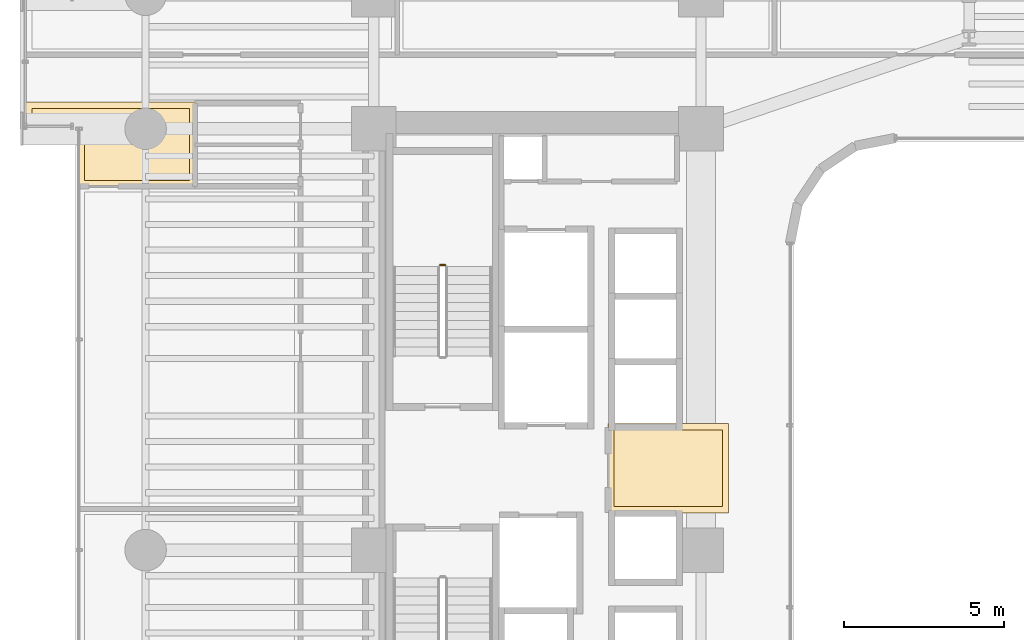
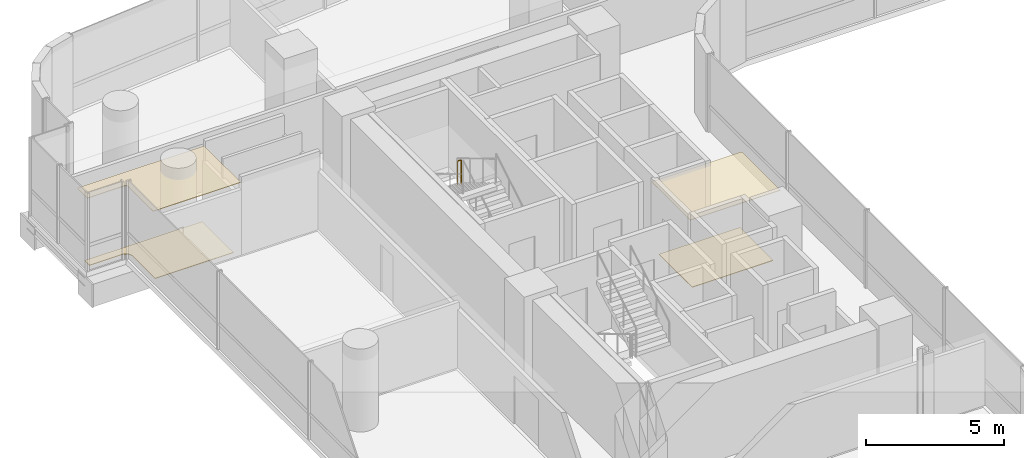
# One storey, part 38 of 40: 4 coverings, 1 railing.
"""IFC4 building model written with IfcOpenShell, lengths in metres."""

from ifc_helpers import new_model, si_unit, direction, frame, origin, origin_2d, place, context, subcontext, project, spatial, polyline, circle, outline, extrude, material, layer, layer_set, type_object, element, save


model = new_model("IFC4")

# Units and contexts
model_context = context("Model", 3, precision=1e-05, world=origin(), true_north=direction((0.0, 1.0)))
body_context = subcontext(model_context, "Body", "Model", "MODEL_VIEW")
ifc_project = project(units=[si_unit("LENGTHUNIT", "METRE"), si_unit("AREAUNIT", "SQUARE_METRE"), si_unit("VOLUMEUNIT", "CUBIC_METRE"), si_unit("PLANEANGLEUNIT", "RADIAN"), si_unit("MASSUNIT", "GRAM", prefix="KILO")], contexts=[model_context])

# Site, building, storey
site_placement = place(None, origin())
site = spatial("IfcSite", under=ifc_project, at=site_placement, CompositionType="ELEMENT")
building_placement = place(site_placement, origin())
building = spatial("IfcBuilding", under=site, at=building_placement, Name="Valdorenza Pilgrim Sanctuary Tower", CompositionType="ELEMENT")
storey_placement = place(building_placement, frame((0.0, 0.0, 51.89990234375)))
storey = spatial("IfcBuildingStorey", under=building, at=storey_placement, Name="L12", CompositionType="ELEMENT", Elevation=51.89990234375)

# Coverings
ifc_material_1 = material(Name="Micro-perforated acoustic mineral ceiling tile", Category="gypsum")
ifc_layer_1 = layer(ifc_material_1, 0.02490234375, Name="Micro-perforated acoustic mineral ceiling tile")
ifc_layer_set_1 = layer_set([ifc_layer_1], Name="Micro-perforated acoustic mineral ceiling tile")
covering_type_1 = type_object("IfcCoveringType", Name="COV-CLG-ACU", PredefinedType="CEILING", material=ifc_layer_set_1)
covering_1_placement = place(storey_placement, frame((0.0, 0.0, 3.16015625)))
element("IfcCovering", 1, at=covering_1_placement, inside=storey, type_object=covering_type_1, Name="L12 Core A Passenger Lift Lobby Acoustic Ceiling", PredefinedType="CEILING", context=body_context, shape_type="SweptSolid", body=[
    extrude(outline(polyline([(-15.31298828125, 1.244384765625), (-15.31298828125, 1.24462890625), (-15.313720703125, 1.24609375), (-15.314208984375, 1.24755859375), (-15.314697265625, 1.2490234375), (-15.31494140625, 1.25048828125), (-15.31494140625, 1.251953125), (-15.31494140625, 1.35009765625), (-15.31494140625, 1.3515625), (-15.314697265625, 1.352783203125), (-15.314453125, 1.3544921875), (-15.31396484375, 1.355712890625), (-15.313232421875, 1.357177734375), (-15.3125, 1.3583984375), (-15.3115234375, 1.359619140625), (-15.310546875, 1.360595703125), (-15.3095703125, 1.361572265625), (-15.308349609375, 1.362548828125), (-15.30712890625, 1.36328125), (-15.3056640625, 1.364013671875), (-15.304443359375, 1.364501953125), (-15.302978515625, 1.36474609375), (-15.301513671875, 1.364990234375), (-15.300048828125, 1.364990234375), (-15.10205078125, 1.364990234375), (-15.1005859375, 1.364990234375), (-15.09912109375, 1.36474609375), (-15.097412109375, 1.3642578125), (-15.09619140625, 1.36376953125), (-15.0947265625, 1.363037109375), (-15.094482421875, 1.363037109375), (-13.185546875, 1.363037109375), (-13.185302734375, 1.363037109375), (-13.183837890625, 1.36376953125), (-13.1826171875, 1.3642578125), (-13.180908203125, 1.36474609375), (-13.179443359375, 1.364990234375), (-13.177978515625, 1.364990234375), (-11.550048828125, 1.364990234375), (-11.548583984375, 1.364990234375), (-11.547119140625, 1.36474609375), (-11.545654296875, 1.364501953125), (-11.544189453125, 1.364013671875), (-11.54296875, 1.36328125), (-11.541748046875, 1.362548828125), (-11.54052734375, 1.361572265625), (-11.539306640625, 1.360595703125), (-11.538330078125, 1.359619140625), (-11.53759765625, 1.3583984375), (-11.536865234375, 1.357177734375), (-11.5361328125, 1.355712890625), (-11.53564453125, 1.3544921875), (-11.535400390625, 1.352783203125), (-11.53515625, 1.3515625), (-11.534912109375, 1.35009765625), (-11.534912109375, -1.419921875), (-11.53515625, -1.42138671875), (-11.535400390625, -1.4228515625), (-11.53564453125, -1.42431640625), (-11.5361328125, -1.42578125), (-11.536865234375, -1.427001953125), (-11.53759765625, -1.42822265625), (-11.538330078125, -1.429443359375), (-11.539306640625, -1.4306640625), (-11.54052734375, -1.431640625), (-11.541748046875, -1.4326171875), (-11.54296875, -1.43310546875), (-11.544189453125, -1.433837890625), (-11.545654296875, -1.434326171875), (-11.547119140625, -1.434814453125), (-11.548583984375, -1.434814453125), (-11.550048828125, -1.43505859375), (-15.298095703125, -1.43505859375), (-15.299560546875, -1.434814453125), (-15.30078125, -1.434814453125), (-15.302490234375, -1.434326171875), (-15.3037109375, -1.433837890625), (-15.30517578125, -1.43310546875), (-15.306396484375, -1.4326171875), (-15.3076171875, -1.431640625), (-15.30859375, -1.4306640625), (-15.3095703125, -1.429443359375), (-15.310546875, -1.42822265625), (-15.311279296875, -1.427001953125), (-15.31201171875, -1.42578125), (-15.3125, -1.42431640625), (-15.312744140625, -1.4228515625), (-15.31298828125, -1.42138671875), (-15.31298828125, -1.419921875), (-15.31298828125, 1.244384765625)])), origin(), (0.0, 0.0, 1.0), 0.02490234375),
])
covering_2_placement = place(storey_placement, frame((0.0, 0.0, 3.16015625)))
element("IfcCovering", 2, at=covering_2_placement, inside=storey, type_object=covering_type_1, Name="L12 Pilgrim Scholar Office L12-WN Acoustic Ceiling", PredefinedType="CEILING", context=body_context, shape_type="SweptSolid", body=[
    extrude(outline(polyline([(-28.237060546875, 11.39453125), (-28.237060546875, 10.103759765625), (-28.23681640625, 10.10302734375), (-28.23681640625, 10.1015625), (-28.23681640625, 10.10009765625), (-28.23681640625, 10.098388671875), (-28.237060546875, 10.09814453125), (-28.237060546875, 8.800048828125), (-28.237060546875, 8.798583984375), (-28.2373046875, 8.797119140625), (-28.237548828125, 8.795654296875), (-28.238037109375, 8.794189453125), (-28.23876953125, 8.79296875), (-28.239501953125, 8.791748046875), (-28.240478515625, 8.79052734375), (-28.241455078125, 8.789306640625), (-28.242431640625, 8.788330078125), (-28.24365234375, 8.78759765625), (-28.244873046875, 8.786865234375), (-28.246337890625, 8.7861328125), (-28.24755859375, 8.78564453125), (-28.2490234375, 8.785400390625), (-28.25048828125, 8.78515625), (-28.251953125, 8.784912109375), (-31.889892578125, 8.784912109375), (-31.8916015625, 8.78515625), (-31.892822265625, 8.785400390625), (-31.894287109375, 8.78564453125), (-31.895751953125, 8.7861328125), (-31.897216796875, 8.786865234375), (-31.898193359375, 8.78759765625), (-31.8994140625, 8.788330078125), (-31.900634765625, 8.789306640625), (-31.901611328125, 8.79052734375), (-31.902587890625, 8.791748046875), (-31.9033203125, 8.79296875), (-31.90380859375, 8.794189453125), (-31.904296875, 8.795654296875), (-31.90478515625, 8.797119140625), (-31.90478515625, 8.798583984375), (-31.905029296875, 8.800048828125), (-31.905029296875, 10.599609375), (-31.905517578125, 10.609375), (-31.90673828125, 10.618408203125), (-31.9091796875, 10.627685546875), (-31.912109375, 10.63623046875), (-31.916259765625, 10.644775390625), (-31.9208984375, 10.65283203125), (-31.926513671875, 10.660400390625), (-31.932861328125, 10.667236328125), (-31.939697265625, 10.67333984375), (-31.947265625, 10.678955078125), (-31.955078125, 10.683837890625), (-31.963623046875, 10.687744140625), (-31.972412109375, 10.69091796875), (-31.9814453125, 10.693115234375), (-31.99072265625, 10.694580078125), (-32.00048828125, 10.695068359375), (-33.5400390625, 10.695068359375), (-33.54150390625, 10.695068359375), (-33.54296875, 10.6953125), (-33.54443359375, 10.695556640625), (-33.545654296875, 10.696044921875), (-33.547119140625, 10.69677734375), (-33.54833984375, 10.697509765625), (-33.549560546875, 10.698486328125), (-33.550537109375, 10.699462890625), (-33.551513671875, 10.700439453125), (-33.552490234375, 10.70166015625), (-33.55322265625, 10.702880859375), (-33.553955078125, 10.704345703125), (-33.554443359375, 10.70556640625), (-33.5546875, 10.70703125), (-33.554931640625, 10.70849609375), (-33.554931640625, 10.7099609375), (-33.554931640625, 11.419921875), (-33.554931640625, 11.42138671875), (-33.5546875, 11.4228515625), (-33.554443359375, 11.42431640625), (-33.553955078125, 11.42578125), (-33.55322265625, 11.427001953125), (-33.552490234375, 11.42822265625), (-33.551513671875, 11.429443359375), (-33.550537109375, 11.4306640625), (-33.549560546875, 11.431640625), (-33.54833984375, 11.4326171875), (-33.547119140625, 11.43310546875), (-33.545654296875, 11.433837890625), (-33.54443359375, 11.434326171875), (-33.54296875, 11.434814453125), (-33.54150390625, 11.434814453125), (-33.5400390625, 11.43505859375), (-28.25, 11.43505859375), (-28.24853515625, 11.434814453125), (-28.2470703125, 11.434814453125), (-28.24560546875, 11.434326171875), (-28.244384765625, 11.433837890625), (-28.242919921875, 11.43310546875), (-28.24169921875, 11.4326171875), (-28.240478515625, 11.431640625), (-28.239501953125, 11.4306640625), (-28.23828125, 11.429443359375), (-28.237548828125, 11.42822265625), (-28.23681640625, 11.427001953125), (-28.236083984375, 11.42578125), (-28.235595703125, 11.42431640625), (-28.2353515625, 11.4228515625), (-28.235107421875, 11.42138671875), (-28.235107421875, 11.419921875), (-28.235107421875, 11.402099609375), (-28.235107421875, 11.400390625), (-28.2353515625, 11.39892578125), (-28.235595703125, 11.3974609375), (-28.236083984375, 11.39599609375), (-28.23681640625, 11.394775390625), (-28.237060546875, 11.39453125)])), origin(), (0.0, 0.0, 1.0), 0.02490234375),
])
ifc_material_2 = material(Name="Honed travertine stone flooring", Category="masonry")
ifc_layer_2 = layer(ifc_material_2, 0.030029296875, Name="Honed travertine stone flooring")
ifc_layer_set_2 = layer_set([ifc_layer_2], Name="Honed travertine stone flooring")
covering_type_2 = type_object("IfcCoveringType", Name="COV-FLR-TRV", PredefinedType="FLOORING", material=ifc_layer_set_2)
covering_3_placement = place(storey_placement, origin())
element("IfcCovering", 3, at=covering_3_placement, inside=storey, type_object=covering_type_2, Name="L12 Core A Passenger Lift Lobby Flooring", PredefinedType="FLOORING", context=body_context, shape_type="SweptSolid", body=[
    extrude(outline(polyline([(-15.117919921875, 1.169189453125), (-15.10888671875, 1.168212890625), (-15.10888671875, 1.168212890625), (-15.10009765625, 1.16796875), (-13.179931640625, 1.16796875), (-13.1796875, 1.16796875), (-11.72998046875, 1.169921875), (-11.72998046875, -1.239990234375), (-15.117919921875, -1.239990234375), (-15.117919921875, 1.169189453125)])), origin(), (0.0, 0.0, 1.0), 0.025146484375),
])
covering_4_placement = place(storey_placement, origin())
element("IfcCovering", 4, at=covering_4_placement, inside=storey, type_object=covering_type_2, Name="L12 Pilgrim Scholar Office L12-WN Flooring", PredefinedType="FLOORING", context=body_context, shape_type="SweptSolid", body=[
    extrude(outline(polyline([(-28.431884765625, 11.239990234375), (-28.431884765625, 10.10205078125), (-28.431884765625, 10.10107421875), (-28.431884765625, 10.100341796875), (-28.431884765625, 10.10009765625), (-28.431884765625, 8.97998046875), (-31.7099609375, 8.97998046875), (-31.7099609375, 10.60009765625), (-31.710205078125, 10.60888671875), (-31.710693359375, 10.61962890625), (-31.71240234375, 10.63720703125), (-31.714111328125, 10.64794921875), (-31.717529296875, 10.665283203125), (-31.72021484375, 10.67578125), (-31.725341796875, 10.692626953125), (-31.72900390625, 10.70263671875), (-31.735595703125, 10.718994140625), (-31.740234375, 10.728759765625), (-31.74853515625, 10.744384765625), (-31.754150390625, 10.753662109375), (-31.763916015625, 10.768310546875), (-31.7705078125, 10.777099609375), (-31.781494140625, 10.790771484375), (-31.788818359375, 10.798583984375), (-31.80126953125, 10.811279296875), (-31.809326171875, 10.818359375), (-31.822998046875, 10.82958984375), (-31.831787109375, 10.8359375), (-31.84619140625, 10.845947265625), (-31.855712890625, 10.851318359375), (-31.87109375, 10.859619140625), (-31.880859375, 10.8642578125), (-31.897216796875, 10.87109375), (-31.907470703125, 10.874755859375), (-31.92431640625, 10.8798828125), (-31.934814453125, 10.882568359375), (-31.9521484375, 10.885986328125), (-31.962890625, 10.887451171875), (-31.98046875, 10.889404296875), (-31.9912109375, 10.889892578125), (-32.0, 10.889892578125), (-33.360107421875, 10.889892578125), (-33.360107421875, 11.239990234375), (-28.431884765625, 11.239990234375)])), origin(), (0.0, 0.0, 1.0), 0.025146484375),
])

# Railing
ifc_material_3 = material(Name="Stainless steel Grade 316", Category="steel")
railing_type = type_object("IfcRailingType", Name="RLG-GRD-1120", PredefinedType="GUARDRAIL", material=ifc_material_3)
railing_placement = place(storey_placement, frame((-20.419921875, 6.330078125, 1.85009765625)))
element("IfcRailing", 5, at=railing_placement, inside=storey, type_object=railing_type, Name="L12 ST-A1 stair guard 2", PredefinedType="GUARDRAIL", context=body_context, shape_type="SweptSolid", body=[
    extrude(circle(Radius=0.02392578125, at=origin_2d()), frame((0.0, 0.0, 1.076171875), z_axis=(-1.0, 0.0, 0.0), x_axis=(0.0, -1.0, 0.0)), (0.0, 0.0, 1.0), 0.150146484375),
    extrude(circle(Radius=0.02099609375, at=origin_2d()), origin(), (0.0, 0.0, 1.0), 1.052001953125),
    extrude(circle(Radius=0.02099609375, at=origin_2d()), frame((-0.150146484375, 0.0, 0.0)), (0.0, 0.0, 1.0), 1.052001953125),
])

save(model, "model.ifc")
